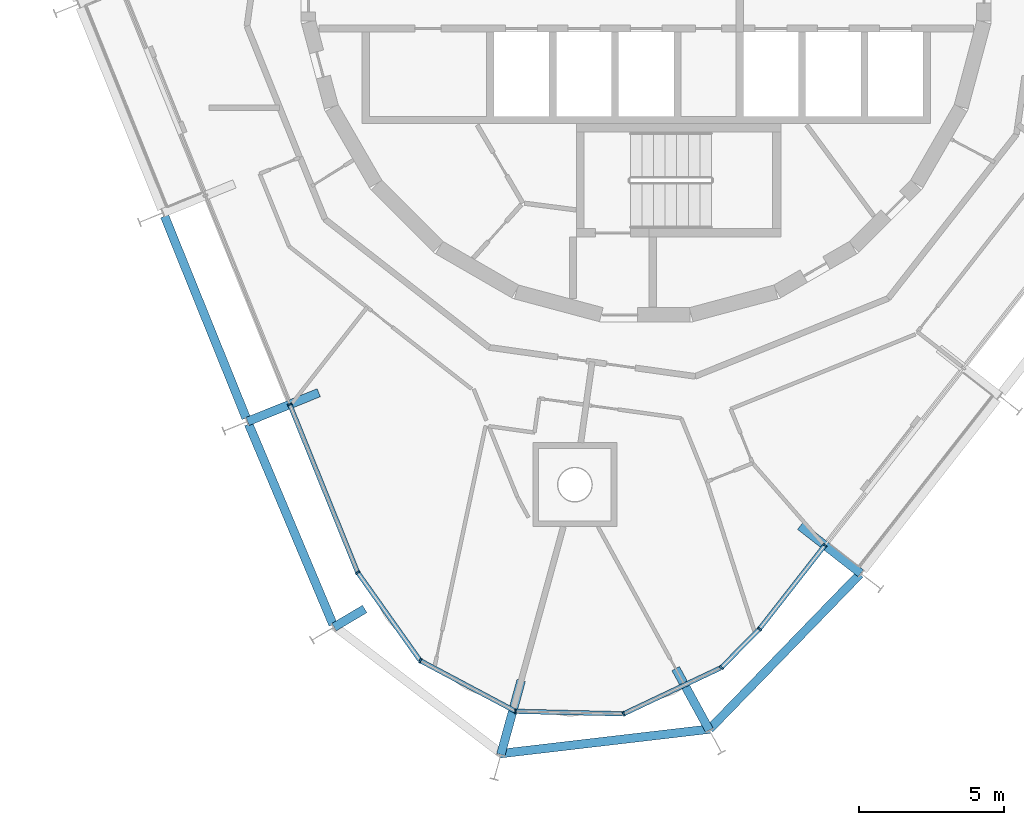
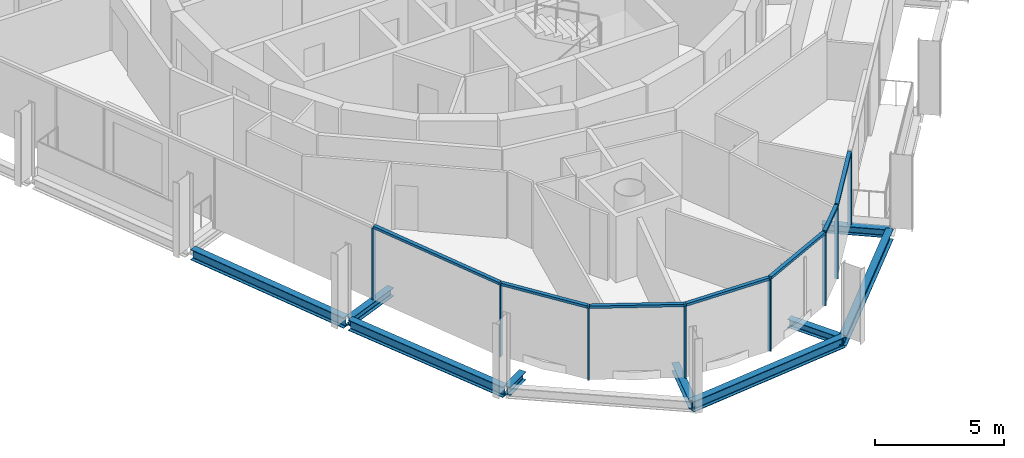
# One storey, part 2 of 15: 15 members, 9 beams, 2 elements without a shape of their own.
"""IFC4 building model written with IfcOpenShell, lengths in metres."""

from ifc_helpers import new_model, si_unit, direction, frame, origin, origin_2d, place, context, subcontext, project, spatial, rectangle, i_section, extrude, material, layer, layer_set, material_profile, profile_set, type_object, element, aggregate, save


model = new_model("IFC4")

# Units and contexts
model_context = context("Model", 3, precision=1e-05, world=origin(), true_north=direction((0.0, 1.0)))
body_context = subcontext(model_context, "Body", "Model", "MODEL_VIEW")
ifc_project = project(units=[si_unit("LENGTHUNIT", "METRE"), si_unit("AREAUNIT", "SQUARE_METRE"), si_unit("VOLUMEUNIT", "CUBIC_METRE"), si_unit("PLANEANGLEUNIT", "RADIAN"), si_unit("MASSUNIT", "GRAM", prefix="KILO")], contexts=[model_context])

# Site, building, storey
site_placement = place(None, origin())
site = spatial("IfcSite", under=ifc_project, at=site_placement, CompositionType="ELEMENT")
building_placement = place(site_placement, origin())
building = spatial("IfcBuilding", under=site, at=building_placement, Name="Spindle Arch Residences", CompositionType="ELEMENT")
storey_placement = place(building_placement, frame((0.0, 0.0, 340.0)))
storey = spatial("IfcBuildingStorey", under=building, at=storey_placement, Name="L87", CompositionType="ELEMENT", Elevation=340.0)

# Curtain wall, members
ifc_material_1 = material(Name="Aluminium bronze unitised frame with tinted glass", Category="aluminium")
ifc_layer_1 = layer(ifc_material_1, 0.159912109375)
ifc_layer_set_1 = layer_set([ifc_layer_1], Name="CW-D corner wall on the fillet arcs")
curtain_wall_type_1 = type_object("IfcCurtainWallType", Name="CW-D corner wall on the fillet arcs", PredefinedType="NOTDEFINED", material=ifc_layer_set_1)
curtain_wall_1_placement = place(storey_placement, origin())
curtain_wall_1 = element("IfcCurtainWall", 1, at=curtain_wall_1_placement, inside=storey, type_object=curtain_wall_type_1, Name="CW-D L87 run 5", PredefinedType="NOTDEFINED")
ifc_material_2 = material(Name="Aluminium bronze anodised mullion", Category="aluminium")
ifc_material_profile_1 = material_profile(ifc_material_2, rectangle(XDim=0.159912109375, YDim=0.06005859375, at=origin_2d()), Name="MU 60x160")
ifc_profile_set_1 = profile_set([ifc_material_profile_1], Name="Aluminium bronze anodised mullion")
member_type_1 = type_object("IfcMemberType", Name="Bronze mullion 60x160", PredefinedType="MULLION", material=ifc_profile_set_1)
member_1_placement = place(storey_placement, frame((-12.292724609375, -14.73779296875, -0.3798828125), z_axis=(0.0, 0.0, 1.0), x_axis=(0.927183854567, 0.374606593416, 0.0)))
member_1 = element("IfcMember", 2, at=member_1_placement, type_object=member_type_1, Name="CW-D mullion 00", PredefinedType="MULLION", context=body_context, shape_type="SweptSolid", body=[
    extrude(rectangle(XDim=0.159912109375, YDim=0.06005859375, at=origin_2d()), origin(), (0.0, 0.0, 1.0), 3.3798828125),
])
member_2_placement = place(storey_placement, frame((-9.951904296875, -20.53173828125, -0.3798828125), z_axis=(0.0, 0.0, 1.0), x_axis=(0.815801266332, 0.578332338584, 0.0)))
member_2 = element("IfcMember", 3, at=member_2_placement, type_object=member_type_1, Name="CW-D mullion 01", PredefinedType="MULLION", context=body_context, shape_type="SweptSolid", body=[
    extrude(rectangle(XDim=0.159912109375, YDim=0.06005859375, at=origin_2d()), origin(), (0.0, 0.0, 1.0), 3.3798828125),
])
member_3_placement = place(storey_placement, frame((-7.79638671875, -23.572021484375, -0.3798828125), z_axis=(0.0, 0.0, 1.0), x_axis=(0.469471563633, 0.882947592408, 0.0)))
member_3 = element("IfcMember", 4, at=member_3_placement, type_object=member_type_1, Name="CW-D mullion 02", PredefinedType="MULLION", context=body_context, shape_type="SweptSolid", body=[
    extrude(rectangle(XDim=0.159912109375, YDim=0.06005859375, at=origin_2d()), origin(), (0.0, 0.0, 1.0), 3.3798828125),
])
member_4_placement = place(storey_placement, frame((-4.505859375, -25.321533203125, -0.3798828125), z_axis=(0.0, 0.0, 1.0), x_axis=(0.023268959422, 0.999729241109, 0.0)))
member_4 = element("IfcMember", 5, at=member_4_placement, type_object=member_type_1, Name="CW-D mullion 03", PredefinedType="MULLION", context=body_context, shape_type="SweptSolid", body=[
    extrude(rectangle(XDim=0.159912109375, YDim=0.06005859375, at=origin_2d()), origin(), (0.0, 0.0, 1.0), 3.3798828125),
])
member_5_placement = place(storey_placement, frame((-0.7802734375, -25.408203125, -0.3798828125), z_axis=(0.0, 0.0, 1.0), x_axis=(-0.427883767902, 0.903833768547, 0.0)))
member_5 = element("IfcMember", 6, at=member_5_placement, type_object=member_type_1, Name="CW-D mullion 04", PredefinedType="MULLION", context=body_context, shape_type="SweptSolid", body=[
    extrude(rectangle(XDim=0.159912109375, YDim=0.06005859375, at=origin_2d()), origin(), (0.0, 0.0, 1.0), 3.3798828125),
])
member_6_placement = place(storey_placement, frame((2.588134765625, -23.813720703125, -0.3798828125), z_axis=(0.0, 0.0, 1.0), x_axis=(-0.711208575748, 0.702981053644, 0.0)))
member_6 = element("IfcMember", 7, at=member_6_placement, type_object=member_type_1, Name="CW-D mullion 05", PredefinedType="MULLION", context=body_context, shape_type="SweptSolid", body=[
    extrude(rectangle(XDim=0.159912109375, YDim=0.06005859375, at=origin_2d()), origin(), (0.0, 0.0, 1.0), 3.3798828125),
])
member_7_placement = place(storey_placement, frame((3.906982421875, -22.479248046875, -0.3798828125), z_axis=(0.0, 0.0, 1.0), x_axis=(-0.788010753607, 0.615661475326, 0.0)))
member_7 = element("IfcMember", 8, at=member_7_placement, type_object=member_type_1, Name="CW-D mullion 06", PredefinedType="MULLION", context=body_context, shape_type="SweptSolid", body=[
    extrude(rectangle(XDim=0.159912109375, YDim=0.06005859375, at=origin_2d()), origin(), (0.0, 0.0, 1.0), 3.3798828125),
])

# Curtain wall, member
ifc_material_3 = material(Name="Aluminium bronze unitised frame with tinted glass", Category="aluminium")
ifc_layer_2 = layer(ifc_material_3, 0.159912109375)
ifc_layer_set_2 = layer_set([ifc_layer_2], Name="CW-C typical residential unitised wall")
curtain_wall_type_2 = type_object("IfcCurtainWallType", Name="CW-C typical residential unitised wall", PredefinedType="NOTDEFINED", material=ifc_layer_set_2)
curtain_wall_2_placement = place(storey_placement, origin())
curtain_wall_2 = element("IfcCurtainWall", 9, at=curtain_wall_2_placement, inside=storey, type_object=curtain_wall_type_2, Name="CW-C L87 run 6", PredefinedType="NOTDEFINED")
member_8_placement = place(storey_placement, frame((6.160400390625, -19.594970703125, -0.3798828125), z_axis=(0.0, 0.0, 1.0), x_axis=(-0.788010753607, 0.615661475326, 0.0)))
member_8 = element("IfcMember", 10, at=member_8_placement, type_object=member_type_1, Name="CW-C mullion 18", PredefinedType="MULLION", context=body_context, shape_type="SweptSolid", body=[
    extrude(rectangle(XDim=0.159912109375, YDim=0.06005859375, at=origin_2d()), origin(), (0.0, 0.0, 1.0), 3.3798828125),
])
aggregate(curtain_wall_2, [member_8])

# Member
ifc_material_4 = material(Name="Aluminium bronze anodised transom", Category="aluminium")
ifc_material_profile_2 = material_profile(ifc_material_4, rectangle(XDim=0.159912109375, YDim=0.1201171875, at=origin_2d()), Name="TR 120x160")
ifc_profile_set_2 = profile_set([ifc_material_profile_2], Name="Aluminium bronze anodised transom")
member_type_2 = type_object("IfcMemberType", Name="Bronze transom 120x160", PredefinedType="USERDEFINED", material=ifc_profile_set_2)
member_9_placement = place(storey_placement, frame((-12.28125, -14.765625, 3.06005859375), z_axis=(0.374564798487, -0.927200739719, 0.0), x_axis=(0.927200739719, 0.374564798487, 0.0)))
member_9 = element("IfcMember", 11, at=member_9_placement, type_object=member_type_2, Name="CW-D transom 00", ObjectType="TRANSOM", PredefinedType="USERDEFINED", context=body_context, shape_type="SweptSolid", body=[
    extrude(rectangle(XDim=0.159912109375, YDim=0.1201171875, at=origin_2d()), origin(), (0.0, 0.0, 1.0), 6.188720703125),
])

member_10_placement = place(storey_placement, frame((-9.934326171875, -20.55615234375, 3.06005859375), z_axis=(0.578349828601, -0.815788867145, 0.0), x_axis=(0.815788867145, 0.578349828601, 0.0)))
member_10 = element("IfcMember", 12, at=member_10_placement, type_object=member_type_2, Name="CW-D transom 01", ObjectType="TRANSOM", PredefinedType="USERDEFINED", context=body_context, shape_type="SweptSolid", body=[
    extrude(rectangle(XDim=0.159912109375, YDim=0.1201171875, at=origin_2d()), origin(), (0.0, 0.0, 1.0), 3.666748046875),
])

member_11_placement = place(storey_placement, frame((-7.77001953125, -23.5859375, 3.06005859375), z_axis=(0.882947559001, -0.469471626463, 0.0), x_axis=(0.469471626463, 0.882947559001, 0.0)))
member_11 = element("IfcMember", 13, at=member_11_placement, type_object=member_type_2, Name="CW-D transom 02", ObjectType="TRANSOM", PredefinedType="USERDEFINED", context=body_context, shape_type="SweptSolid", body=[
    extrude(rectangle(XDim=0.159912109375, YDim=0.1201171875, at=origin_2d()), origin(), (0.0, 0.0, 1.0), 3.666748046875),
])

member_12_placement = place(storey_placement, frame((-4.47607421875, -25.322265625, 3.06005859375), z_axis=(0.999729981043, -0.023237147079, 0.0), x_axis=(0.023237147079, 0.999729981043, 0.0)))
member_12 = element("IfcMember", 14, at=member_12_placement, type_object=member_type_2, Name="CW-D transom 03", ObjectType="TRANSOM", PredefinedType="USERDEFINED", context=body_context, shape_type="SweptSolid", body=[
    extrude(rectangle(XDim=0.159912109375, YDim=0.1201171875, at=origin_2d()), origin(), (0.0, 0.0, 1.0), 3.666748046875),
])

member_13_placement = place(storey_placement, frame((-0.753173828125, -25.3955078125, 3.06005859375), z_axis=(0.903821874806, 0.427908890562, 0.0), x_axis=(-0.427908890562, 0.903821874806, 0.0)))
member_13 = element("IfcMember", 15, at=member_13_placement, type_object=member_type_2, Name="CW-D transom 04", ObjectType="TRANSOM", PredefinedType="USERDEFINED", context=body_context, shape_type="SweptSolid", body=[
    extrude(rectangle(XDim=0.159912109375, YDim=0.1201171875, at=origin_2d()), origin(), (0.0, 0.0, 1.0), 3.6669921875),
])

member_14_placement = place(storey_placement, frame((2.609130859375, -23.792236328125, 3.06005859375), z_axis=(0.703062417903, 0.711128143539, 0.0), x_axis=(-0.711128143539, 0.703062417903, 0.0)))
member_14 = element("IfcMember", 16, at=member_14_placement, type_object=member_type_2, Name="CW-D transom 05", ObjectType="TRANSOM", PredefinedType="USERDEFINED", context=body_context, shape_type="SweptSolid", body=[
    extrude(rectangle(XDim=0.159912109375, YDim=0.1201171875, at=origin_2d()), origin(), (0.0, 0.0, 1.0), 1.816162109375),
])

member_15_placement = place(storey_placement, frame((3.925537109375, -22.455810546875, 3.06005859375), z_axis=(0.615647989673, 0.788021289568, 0.0), x_axis=(-0.788021289568, 0.615647989673, 0.0)))
member_15 = element("IfcMember", 17, at=member_15_placement, type_object=member_type_2, Name="CW-D transom 06", ObjectType="TRANSOM", PredefinedType="USERDEFINED", context=body_context, shape_type="SweptSolid", body=[
    extrude(rectangle(XDim=0.159912109375, YDim=0.1201171875, at=origin_2d()), origin(), (0.0, 0.0, 1.0), 3.600341796875),
])

aggregate(curtain_wall_1, [member_1, member_9, member_2, member_10, member_3, member_11, member_4, member_12, member_5, member_13, member_6, member_14, member_7, member_15])

# Beams
ifc_material_5 = material(Name="Steel S460ML, intumescent coating R 120", Category="steel")
ifc_material_profile_3 = material_profile(ifc_material_5, i_section(OverallWidth=0.300048828125, OverallDepth=0.5, WebThickness=0.014404296875, FlangeThickness=0.028076171875, FilletRadius=0.027099609375, at=origin_2d()), Name="HEB 500")
ifc_profile_set_3 = profile_set([ifc_material_profile_3], Name="Steel S460ML, intumescent coating R 120")
beam_type_1 = type_object("IfcBeamType", Name="Exoskeleton edge beam HEB 500", PredefinedType="BEAM", material=ifc_profile_set_3)
beam_1_placement = place(storey_placement, frame((-16.608642578125, -8.24658203125, -0.6298828125), z_axis=(0.374596427458, -0.927187961816, 0.0), x_axis=(0.927187961816, 0.374596427458, 0.0)))
element("IfcBeam", 18, at=beam_1_placement, inside=storey, type_object=beam_type_1, Name="Exoskeleton edge beam 14", PredefinedType="BEAM", context=body_context, shape_type="SweptSolid", body=[
    extrude(i_section(OverallWidth=0.300048828125, OverallDepth=0.5, WebThickness=0.014404296875, FlangeThickness=0.028076171875, FilletRadius=0.027099609375, at=origin_2d()), origin(), (0.0, 0.0, 1.0), 7.50537109375),
])
beam_2_placement = place(storey_placement, frame((-13.711669921875, -15.4150390625, -0.6298828125), z_axis=(0.388148671876, -0.92159677111, 0.0), x_axis=(0.92159677111, 0.388148671876, 0.0)))
element("IfcBeam", 19, at=beam_2_placement, inside=storey, type_object=beam_type_1, Name="Exoskeleton edge beam 15", PredefinedType="BEAM", context=body_context, shape_type="SweptSolid", body=[
    extrude(i_section(OverallWidth=0.300048828125, OverallDepth=0.5, WebThickness=0.014404296875, FlangeThickness=0.028076171875, FilletRadius=0.027099609375, at=origin_2d()), origin(), (0.0, 0.0, 1.0), 7.500732421875),
])
beam_3_placement = place(storey_placement, frame((-5.0556640625, -26.78271484375, -0.6298828125), z_axis=(0.993205848316, 0.116370713117, 0.0), x_axis=(-0.116370713117, 0.993205848316, 0.0)))
element("IfcBeam", 20, at=beam_3_placement, inside=storey, type_object=beam_type_1, Name="Exoskeleton edge beam 17", PredefinedType="BEAM", context=body_context, shape_type="SweptSolid", body=[
    extrude(i_section(OverallWidth=0.300048828125, OverallDepth=0.5, WebThickness=0.014404296875, FlangeThickness=0.028076171875, FilletRadius=0.027099609375, at=origin_2d()), origin(), (0.0, 0.0, 1.0), 7.315673828125),
])
beam_4_placement = place(storey_placement, frame((2.19091796875, -25.927001953125, -0.6298828125), z_axis=(0.696374951776, 0.717678149688, 0.0), x_axis=(-0.717678149688, 0.696374951776, 0.0)))
element("IfcBeam", 21, at=beam_4_placement, inside=storey, type_object=beam_type_1, Name="Exoskeleton edge beam 18", PredefinedType="BEAM", context=body_context, shape_type="SweptSolid", body=[
    extrude(i_section(OverallWidth=0.300048828125, OverallDepth=0.5, WebThickness=0.014404296875, FlangeThickness=0.028076171875, FilletRadius=0.027099609375, at=origin_2d()), origin(), (0.0, 0.0, 1.0), 7.437744140625),
])
ifc_material_6 = material(Name="Steel S460ML, intumescent coating R 120", Category="steel")
ifc_material_profile_4 = material_profile(ifc_material_6, i_section(OverallWidth=0.300048828125, OverallDepth=0.389892578125, WebThickness=0.010986328125, FlangeThickness=0.01904296875, FilletRadius=0.027099609375, at=origin_2d()), Name="HEA 400")
ifc_profile_set_4 = profile_set([ifc_material_profile_4], Name="Steel S460ML, intumescent coating R 120")
beam_type_2 = type_object("IfcBeamType", Name="Floor outrigger HEA 400", PredefinedType="BEAM", material=ifc_profile_set_4)
beam_5_placement = place(storey_placement, frame((-13.748291015625, -15.325927734375, -0.574951171875), z_axis=(0.927187692393, 0.374597094323, 0.0), x_axis=(-0.374597094323, 0.927187692393, 0.0)))
element("IfcBeam", 22, at=beam_5_placement, inside=storey, type_object=beam_type_2, Name="Floor outrigger 15", PredefinedType="BEAM", context=body_context, shape_type="SweptSolid", body=[
    extrude(i_section(OverallWidth=0.300048828125, OverallDepth=0.389892578125, WebThickness=0.010986328125, FlangeThickness=0.01904296875, FilletRadius=0.027099609375, at=origin_2d()), origin(), (0.0, 0.0, 1.0), 2.64990234375),
])
beam_6_placement = place(storey_placement, frame((-10.765869140625, -22.417724609375, -0.574951171875), z_axis=(0.860752508727, 0.509023691709, 0.0), x_axis=(-0.509023691709, 0.860752508727, 0.0)))
element("IfcBeam", 23, at=beam_6_placement, inside=storey, type_object=beam_type_2, Name="Floor outrigger 16", PredefinedType="BEAM", context=body_context, shape_type="SweptSolid", body=[
    extrude(i_section(OverallWidth=0.300048828125, OverallDepth=0.389892578125, WebThickness=0.010986328125, FlangeThickness=0.01904296875, FilletRadius=0.027099609375, at=origin_2d()), origin(), (0.0, 0.0, 1.0), 1.229248046875),
])
beam_7_placement = place(storey_placement, frame((-5.01318359375, -26.810791015625, -0.574951171875), z_axis=(0.2645204188, 0.964380084841, 0.0), x_axis=(-0.964380084841, 0.2645204188, 0.0)))
element("IfcBeam", 24, at=beam_7_placement, inside=storey, type_object=beam_type_2, Name="Floor outrigger 17", PredefinedType="BEAM", context=body_context, shape_type="SweptSolid", body=[
    extrude(i_section(OverallWidth=0.300048828125, OverallDepth=0.389892578125, WebThickness=0.010986328125, FlangeThickness=0.01904296875, FilletRadius=0.027099609375, at=origin_2d()), origin(), (0.0, 0.0, 1.0), 2.64990234375),
])
beam_8_placement = place(storey_placement, frame((2.175537109375, -25.968505859375, -0.574951171875), z_axis=(-0.48032201602, 0.877092219169, 0.0), x_axis=(-0.877092219169, -0.48032201602, 0.0)))
element("IfcBeam", 25, at=beam_8_placement, inside=storey, type_object=beam_type_2, Name="Floor outrigger 18", PredefinedType="BEAM", context=body_context, shape_type="SweptSolid", body=[
    extrude(i_section(OverallWidth=0.300048828125, OverallDepth=0.389892578125, WebThickness=0.010986328125, FlangeThickness=0.01904296875, FilletRadius=0.027099609375, at=origin_2d()), origin(), (0.0, 0.0, 1.0), 2.41943359375),
])
beam_9_placement = place(storey_placement, frame((7.397705078125, -20.561767578125, -0.574951171875), z_axis=(-0.788015993799, 0.615654768127, 0.0), x_axis=(-0.615654768127, -0.788015993799, 0.0)))
element("IfcBeam", 26, at=beam_9_placement, inside=storey, type_object=beam_type_2, Name="Floor outrigger 19", PredefinedType="BEAM", context=body_context, shape_type="SweptSolid", body=[
    extrude(i_section(OverallWidth=0.300048828125, OverallDepth=0.389892578125, WebThickness=0.010986328125, FlangeThickness=0.01904296875, FilletRadius=0.027099609375, at=origin_2d()), origin(), (0.0, 0.0, 1.0), 2.650146484375),
])

save(model, "model.ifc")
